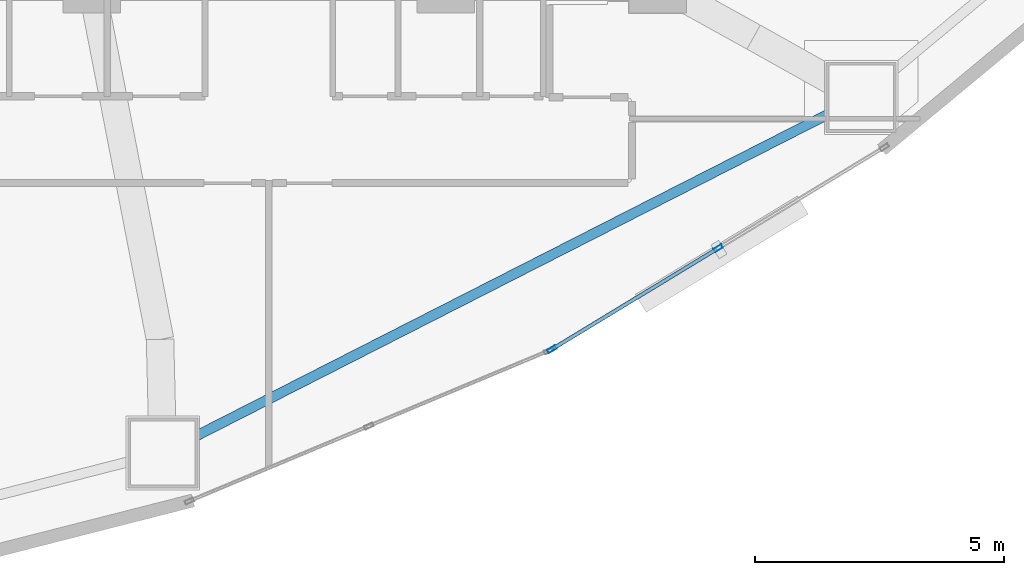
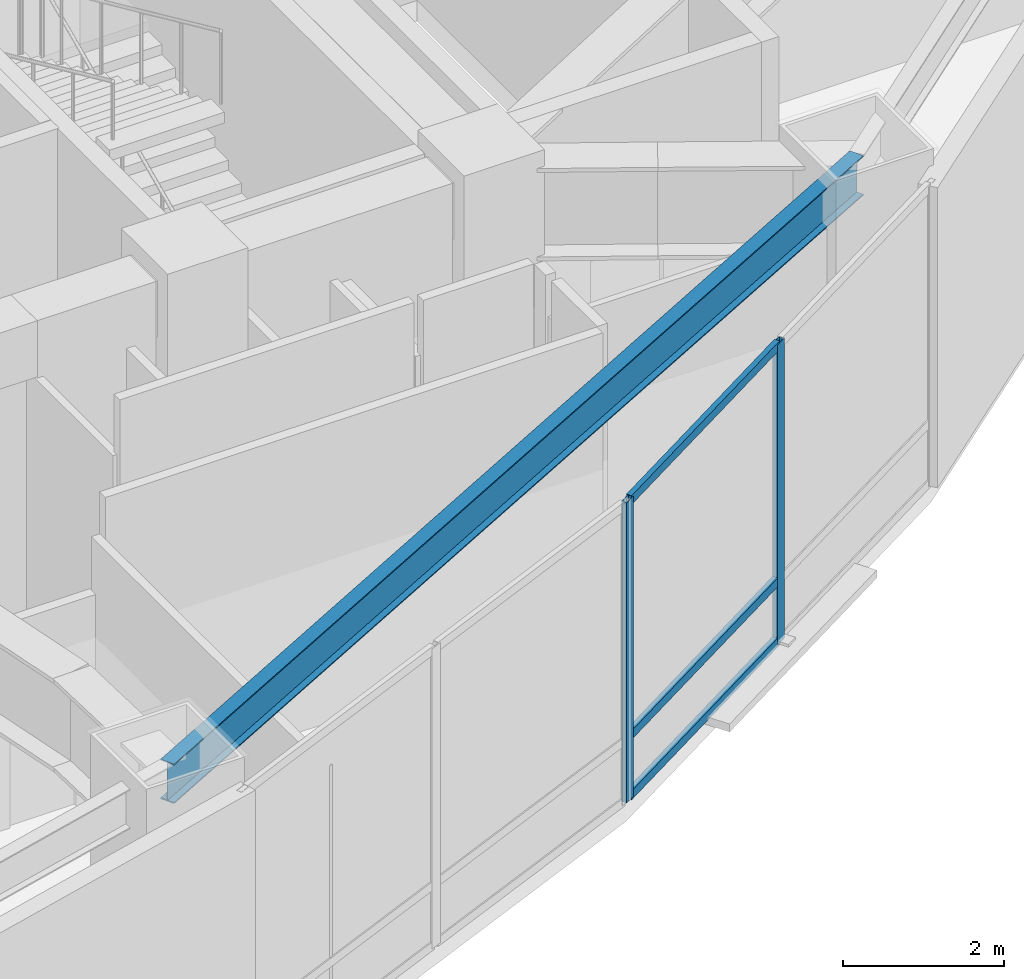
# One storey, part 5 of 19: 5 members, 1 beam, 1 element without a shape of its own.
"""IFC4 building model written with IfcOpenShell, lengths in metres."""

from ifc_helpers import new_model, si_unit, direction, frame, origin, origin_2d, place, context, subcontext, project, spatial, hollow_rectangle, i_section, extrude, material, layer, layer_set, material_profile, profile_set, type_object, element, aggregate, save


model = new_model("IFC4")

# Units and contexts
model_context = context("Model", 3, precision=1e-05, world=origin(), true_north=direction((0.0, 1.0)))
body_context = subcontext(model_context, "Body", "Model", "MODEL_VIEW")
ifc_project = project(units=[si_unit("LENGTHUNIT", "METRE"), si_unit("AREAUNIT", "SQUARE_METRE"), si_unit("VOLUMEUNIT", "CUBIC_METRE"), si_unit("PLANEANGLEUNIT", "RADIAN"), si_unit("MASSUNIT", "GRAM", prefix="KILO")], contexts=[model_context])

# Site, building, storey
site_placement = place(None, origin())
site = spatial("IfcSite", under=ifc_project, at=site_placement, CompositionType="ELEMENT")
building_placement = place(site_placement, origin())
building = spatial("IfcBuilding", under=site, at=building_placement, Name="Menara Vayukalpa", CompositionType="ELEMENT")
storey_placement = place(building_placement, frame((0.0, 0.0, 22.800048828125)))
storey = spatial("IfcBuildingStorey", under=building, at=storey_placement, Name="L04", CompositionType="ELEMENT", Elevation=22.800048828125)

# Beam
ifc_material_1 = material(Name="Steel S355", Category="steel")
ifc_material_profile_1 = material_profile(ifc_material_1, i_section(OverallWidth=0.199951171875, OverallDepth=0.60009765625, WebThickness=0.010986328125, FlangeThickness=0.01708984375, at=origin_2d()), Name="WF 600x200x11x17")
ifc_profile_set_1 = profile_set([ifc_material_profile_1], Name="Steel S355")
beam_type = type_object("IfcBeamType", Name="BM-SP1", PredefinedType="SPANDREL", material=ifc_profile_set_1)
beam_placement = place(storey_placement, frame((23.4755859375, 7.80029296875, 4.25), z_axis=(0.891101872915, 0.453803318726, 0.0), x_axis=(-0.453803318726, 0.891101872915, 0.0)))
element("IfcBeam", 1, at=beam_placement, inside=storey, type_object=beam_type, Name="L04 Perimeter Spandrel Beam SP08", PredefinedType="SPANDREL", context=body_context, shape_type="SweptSolid", body=[
    extrude(i_section(OverallWidth=0.199951171875, OverallDepth=0.60009765625, WebThickness=0.010986328125, FlangeThickness=0.01708984375, at=origin_2d()), origin(), (0.0, 0.0, 1.0), 15.709228515625),
])

# Curtain wall, members
ifc_material_2 = material(Name="Anodised Terracotta Aluminium Alloy 6063-T6", Category="masonry")
ifc_layer = layer(ifc_material_2, 0.179931640625)
ifc_layer_set = layer_set([ifc_layer], Name="Anodised Terracotta Aluminium Alloy 6063-T6")
curtain_wall_type = type_object("IfcCurtainWallType", Name="CW-CW1", PredefinedType="USERDEFINED", material=ifc_layer_set)
curtain_wall_placement = place(storey_placement, origin())
curtain_wall = element("IfcCurtainWall", 2, at=curtain_wall_placement, inside=storey, type_object=curtain_wall_type, Name="L04 Podium Unitised Ribbon Curtain Wall CW1 17", ObjectType="UNITISED", PredefinedType="USERDEFINED")
ifc_material_3 = material(Name="Anodised Terracotta Aluminium Alloy 6063-T6", Category="masonry")
ifc_material_profile_2 = material_profile(ifc_material_3, hollow_rectangle(XDim=0.074951171875, YDim=0.179931640625, WallThickness=0.00390625, at=origin_2d()), Name="ALU 75x180x4")
ifc_profile_set_2 = profile_set([ifc_material_profile_2], Name="Anodised Terracotta Aluminium Alloy 6063-T6")
member_type_1 = type_object("IfcMemberType", Name="CWM-CW1", PredefinedType="MULLION", material=ifc_profile_set_2)
member_1_placement = place(storey_placement, frame((31.2734375, 9.87890625, 0.0), z_axis=(0.0, 0.0, 1.0), x_axis=(-0.519179879231, 0.854664994604, 0.0)))
member_1 = element("IfcMember", 3, at=member_1_placement, type_object=member_type_1, Name="CW1 mullion 1", PredefinedType="MULLION", context=body_context, shape_type="SweptSolid", body=[
    extrude(hollow_rectangle(XDim=0.074951171875, YDim=0.179931640625, WallThickness=0.00390625, at=origin_2d()), origin(), (0.0, 0.0, 1.0), 4.550048828125),
])
member_2_placement = place(storey_placement, frame((34.607177734375, 11.904296875, 0.0), z_axis=(0.0, 0.0, 1.0), x_axis=(-0.519179879231, 0.854664994604, 0.0)))
member_2 = element("IfcMember", 4, at=member_2_placement, type_object=member_type_1, Name="CW1 mullion 2", PredefinedType="MULLION", context=body_context, shape_type="SweptSolid", body=[
    extrude(hollow_rectangle(XDim=0.074951171875, YDim=0.179931640625, WallThickness=0.00390625, at=origin_2d()), origin(), (0.0, 0.0, 1.0), 4.550048828125),
])
ifc_material_4 = material(Name="Anodised Terracotta Aluminium Alloy 6063-T6", Category="masonry")
ifc_material_profile_3 = material_profile(ifc_material_4, hollow_rectangle(XDim=0.074951171875, YDim=0.135009765625, WallThickness=0.00390625, at=origin_2d()), Name="ALU 75x135x4")
ifc_profile_set_3 = profile_set([ifc_material_profile_3], Name="Anodised Terracotta Aluminium Alloy 6063-T6")
member_type_2 = type_object("IfcMemberType", Name="CWT-CW1", PredefinedType="USERDEFINED", material=ifc_profile_set_3)
member_3_placement = place(storey_placement, frame((31.305419921875, 9.8984375, 0.037353515625), z_axis=(0.85465908819, 0.519189602144, 0.0), x_axis=(-0.519189602144, 0.85465908819, 0.0)))
member_3 = element("IfcMember", 5, at=member_3_placement, type_object=member_type_2, Name="CW1 transom 1.1", ObjectType="TRANSOM", PredefinedType="USERDEFINED", context=body_context, shape_type="SweptSolid", body=[
    extrude(hollow_rectangle(XDim=0.074951171875, YDim=0.135009765625, WallThickness=0.00390625, at=origin_2d()), origin(), (0.0, 0.0, 1.0), 3.825927734375),
])
member_4_placement = place(storey_placement, frame((31.305419921875, 9.8984375, 0.949951171875), z_axis=(0.85465908819, 0.519189602144, 0.0), x_axis=(-0.519189602144, 0.85465908819, 0.0)))
member_4 = element("IfcMember", 6, at=member_4_placement, type_object=member_type_2, Name="CW1 transom 1.2", ObjectType="TRANSOM", PredefinedType="USERDEFINED", context=body_context, shape_type="SweptSolid", body=[
    extrude(hollow_rectangle(XDim=0.074951171875, YDim=0.135009765625, WallThickness=0.00390625, at=origin_2d()), origin(), (0.0, 0.0, 1.0), 3.825927734375),
])
member_5_placement = place(storey_placement, frame((31.305419921875, 9.8984375, 4.512451171875), z_axis=(0.85465908819, 0.519189602144, 0.0), x_axis=(-0.519189602144, 0.85465908819, 0.0)))
member_5 = element("IfcMember", 7, at=member_5_placement, type_object=member_type_2, Name="CW1 transom 1.3", ObjectType="TRANSOM", PredefinedType="USERDEFINED", context=body_context, shape_type="SweptSolid", body=[
    extrude(hollow_rectangle(XDim=0.074951171875, YDim=0.135009765625, WallThickness=0.00390625, at=origin_2d()), origin(), (0.0, 0.0, 1.0), 3.825927734375),
])
aggregate(curtain_wall, [member_1, member_2, member_3, member_4, member_5])

save(model, "model.ifc")
